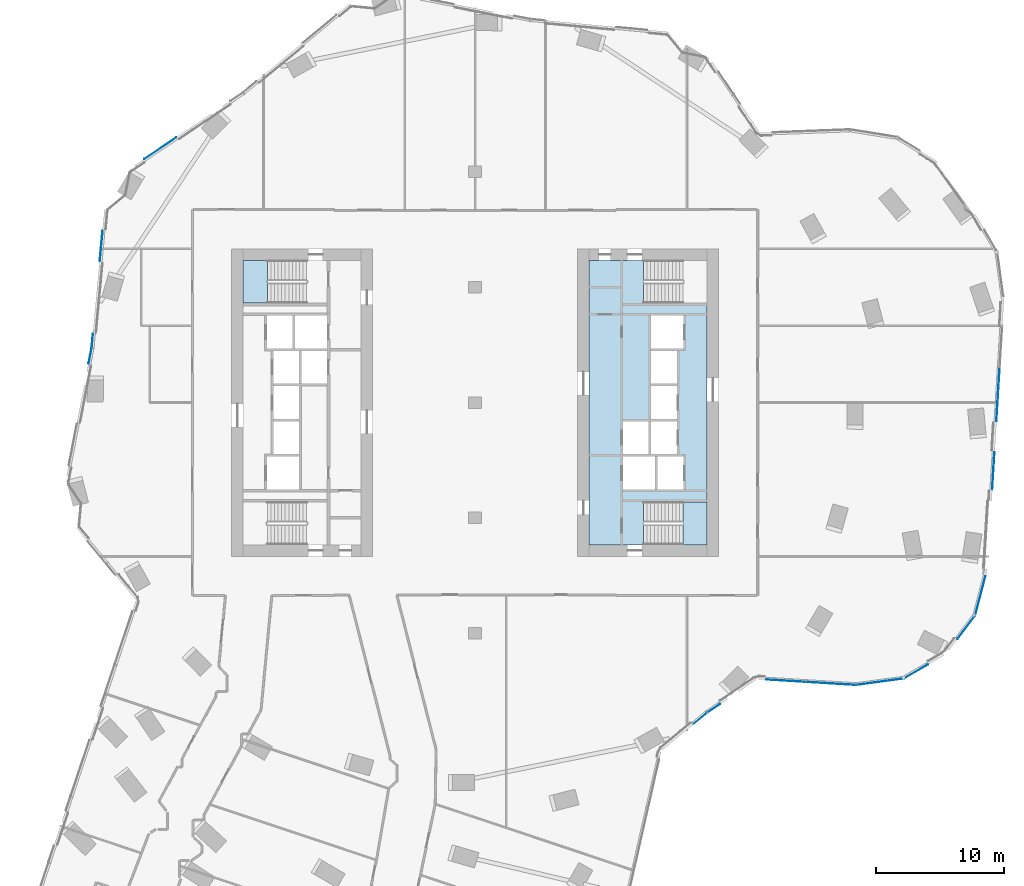
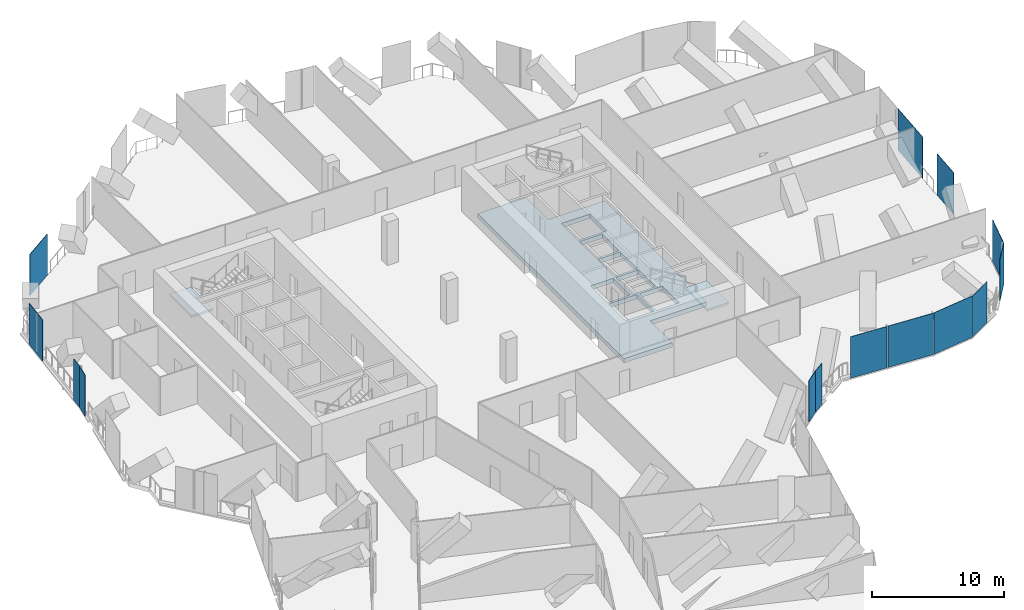
# One storey, part 16 of 28: 14 plates, 3 slabs, 13 elements without a shape of their own.
"""IFC4 building model written with IfcOpenShell, lengths in metres."""

import ifcopenshell
import ifcopenshell.guid

model = None  # the IFC model being written
_history = None  # IfcOwnerHistory: only IFC2X3 demands one
_inside = {}  # id of a spatial element -> (the spatial element, [elements in it])
_under = {}  # id of a project, library or spatial element -> (it, [spatial elements below it])
_declared = {}  # id of a project -> (the project, [libraries it declares])
_typed = {}  # id of a type object -> (the type object, [elements of that type])
_made_of = {}  # id of a material, layer set ... -> (it, [elements and type objects made of it])


def new_model(schema):
    """Start an empty IFC model of exactly this schema.

    Asked for "IFC4X3", IfcOpenShell would pick the latest addendum, in which some entities
    have other attributes; the version numbers below select the first issue.
    IFC2X3 requires an IfcOwnerHistory on every rooted entity: one is made here for all.
    """
    global model, _history
    if schema == "IFC4X3":
        model = ifcopenshell.file(schema_version=(4, 3, 0, 0))
    else:
        model = ifcopenshell.file(schema=schema)
    _inside.clear()
    _under.clear()
    _declared.clear()
    _typed.clear()
    _made_of.clear()
    _history = None
    if model.schema == "IFC2X3":
        org = make("IfcOrganization", Name="unknown")
        user = make(
            "IfcPersonAndOrganization",
            ThePerson=make("IfcPerson", FamilyName="unknown"),
            TheOrganization=org,
        )
        app = make(
            "IfcApplication",
            ApplicationDeveloper=org,
            Version="unknown",
            ApplicationFullName="unknown",
            ApplicationIdentifier="unknown",
        )
        _history = make(
            "IfcOwnerHistory",
            OwningUser=user,
            OwningApplication=app,
            ChangeAction="ADDED",
            CreationDate=0,
        )
    return model


def make(cls, **values):
    """One entity of the class cls with the attributes given. An attribute that is None is left unset."""
    return model.create_entity(
        cls, **{name: value for name, value in values.items() if value is not None}
    )


def rooted(cls, **values):
    """An entity with a GlobalId (a new one), such as an element, a storey or a relation."""
    return make(cls, GlobalId=ifcopenshell.guid.new(), OwnerHistory=_history, **values)


def si_unit(unit_type, name, prefix=None):
    """IfcSIUnit, for example si_unit("LENGTHUNIT", "METRE", prefix="MILLI")."""
    return make("IfcSIUnit", UnitType=unit_type, Prefix=prefix, Name=name)


def assignment(units):
    """IfcUnitAssignment: the units of a project."""
    return None if units is None else make("IfcUnitAssignment", Units=units)


def point(xyz):
    """IfcCartesianPoint."""
    return None if xyz is None else make("IfcCartesianPoint", Coordinates=xyz)


def direction(xyz):
    """IfcDirection."""
    return None if xyz is None else make("IfcDirection", DirectionRatios=xyz)


def frame(location, z_axis=None, x_axis=None):
    """IfcAxis2Placement3D, a coordinate frame: its origin and axes. An axis left out is left unset."""
    return make(
        "IfcAxis2Placement3D",
        Location=point(location),
        Axis=direction(z_axis),
        RefDirection=direction(x_axis),
    )


def frame_2d(location, x_axis=None):
    """IfcAxis2Placement2D, a coordinate frame in the plane: its origin and x axis."""
    return make(
        "IfcAxis2Placement2D", Location=point(location), RefDirection=direction(x_axis)
    )


def origin():
    """The frame at (0, 0, 0) with its axes left unset."""
    return frame((0.0, 0.0, 0.0))


def origin_2d():
    """The frame at (0, 0) in the plane with its x axis left unset."""
    return frame_2d((0.0, 0.0))


def place(relative_to, where):
    """IfcLocalPlacement: puts the frame where relative to a parent placement (None: the world)."""
    return make(
        "IfcLocalPlacement", PlacementRelTo=relative_to, RelativePlacement=where
    )


def context(
    kind, dimensions, precision=None, world=None, true_north=None, identifier=None
):
    """IfcGeometricRepresentationContext, for example the 3D "Model" context."""
    return make(
        "IfcGeometricRepresentationContext",
        ContextIdentifier=identifier,
        ContextType=kind,
        CoordinateSpaceDimension=dimensions,
        Precision=precision,
        WorldCoordinateSystem=world,
        TrueNorth=true_north,
    )


def subcontext(parent, identifier, kind, view, scale=None):
    """IfcGeometricRepresentationSubContext, for example "Body" below "Model"."""
    return make(
        "IfcGeometricRepresentationSubContext",
        ContextIdentifier=identifier,
        ContextType=kind,
        ParentContext=parent,
        TargetScale=scale,
        TargetView=view,
    )


def project(units=None, contexts=None):
    """IfcProject with its units and contexts."""
    return rooted(
        "IfcProject",
        Name="project",
        RepresentationContexts=contexts,
        UnitsInContext=assignment(units),
    )


def spatial(cls, under=None, at=None, **own):
    """A site, building, storey or space (cls), placed at a placement, below another one or the project."""
    s = rooted(cls, ObjectPlacement=at, **own)
    if under is not None:
        _under.setdefault(under.id(), (under, []))[1].append(s)
    return s


def polyline(points):
    """IfcPolyline through the points."""
    return make("IfcPolyline", Points=[point(p) for p in points])


def profile(cls, at=None, kind="AREA", **sizes):
    """A parametric profile (cls). Its sizes go by their IFC names, for example OverallWidth=200.0."""
    return make(cls, ProfileType=kind, Position=at, **sizes)


def rectangle(**sizes):
    """IfcRectangleProfileDef."""
    return profile("IfcRectangleProfileDef", **sizes)


def outline(outer, holes=None, kind="AREA"):
    """IfcArbitraryClosedProfileDef: a profile drawn as a closed curve; with holes, ...WithVoids."""
    if holes is None:
        return make("IfcArbitraryClosedProfileDef", ProfileType=kind, OuterCurve=outer)
    return make(
        "IfcArbitraryProfileDefWithVoids",
        ProfileType=kind,
        OuterCurve=outer,
        InnerCurves=holes,
    )


def extrude(swept, where, along, depth):
    """IfcExtrudedAreaSolid: the profile swept, set in the frame where, extruded along a direction by depth."""
    return make(
        "IfcExtrudedAreaSolid",
        SweptArea=swept,
        Position=where,
        ExtrudedDirection=direction(along),
        Depth=depth,
    )


def shape(context_of_items, identifier, shape_type, items):
    """IfcShapeRepresentation: the items that make up one representation, for example the "Body"."""
    return make(
        "IfcShapeRepresentation",
        ContextOfItems=context_of_items,
        RepresentationIdentifier=identifier,
        RepresentationType=shape_type,
        Items=items,
    )


def material(Name=None, Category=None):
    """IfcMaterial."""
    return make("IfcMaterial", Name=Name, Category=Category)


def layer(
    of_material, thickness, ventilated=None, Name=None, Category=None, Priority=None
):
    """IfcMaterialLayer: one layer of a wall or slab, of a material (None: an air gap)."""
    return make(
        "IfcMaterialLayer",
        Material=of_material,
        LayerThickness=thickness,
        IsVentilated=ventilated,
        Name=Name,
        Category=Category,
        Priority=Priority,
    )


def layer_set(layers, Name=None):
    """IfcMaterialLayerSet."""
    return make("IfcMaterialLayerSet", MaterialLayers=layers, LayerSetName=Name)


def made_of(thing, what):
    """Note that an element or type object is made of a material, layer set ...; save() writes the relation."""
    if what is not None:
        _made_of.setdefault(what.id(), (what, []))[1].append(thing)
    return thing


def type_object(cls, material=None, **own):
    """A type object (cls), such as IfcWallType, which elements share."""
    return made_of(rooted(cls, **own), material)


def element(
    cls,
    number,
    at=None,
    inside=None,
    cuts=None,
    type_object=None,
    material=None,
    context=None,
    identifier="Body",
    shape_type=None,
    held_by="IfcProductDefinitionShape",
    body=None,
    shapes=None,
    **own,
):
    """One element of the class cls, such as IfcWall. Its Tag is "e" and its number.

    at: its placement. inside: the storey or other place that contains it. cuts: it is an
    opening in that element (IfcRelVoidsElement). A single representation is given by context,
    identifier, shape_type and body (its items); several are given by shapes. held_by: the class
    of the entity that holds the representations. save() writes the other relations.
    """
    e = rooted(cls, Tag="e%d" % number, ObjectPlacement=at, **own)
    if body is not None:
        shapes = [shape(context, identifier, shape_type, body)]
    if shapes is not None:
        e.Representation = make(held_by, Representations=shapes)
    if inside is not None:
        _inside.setdefault(inside.id(), (inside, []))[1].append(e)
    if cuts is not None:
        rooted(
            "IfcRelVoidsElement", RelatingBuildingElement=cuts, RelatedOpeningElement=e
        )
    if type_object is not None:
        _typed.setdefault(type_object.id(), (type_object, []))[1].append(e)
    return made_of(e, material)


def aggregate(whole, parts):
    """IfcRelAggregates: a whole, such as a stair, and the parts it consists of."""
    return rooted("IfcRelAggregates", RelatingObject=whole, RelatedObjects=parts)


def save(model, path):
    """Write the relations noted so far, then the file.

    IfcRelAggregates (storeys below a building ...), IfcRelContainedInSpatialStructure (elements
    in a storey), IfcRelDefinesByType, IfcRelAssociatesMaterial and IfcRelDeclares: one each for
    every whole, place, type object, material and project.
    """
    for whole, parts in _under.values():
        aggregate(whole, parts)
    for where, things in _inside.values():
        rooted(
            "IfcRelContainedInSpatialStructure",
            RelatedElements=things,
            RelatingStructure=where,
        )
    for kind, things in _typed.values():
        rooted("IfcRelDefinesByType", RelatedObjects=things, RelatingType=kind)
    for what, things in _made_of.values():
        rooted("IfcRelAssociatesMaterial", RelatedObjects=things, RelatingMaterial=what)
    for by, libraries in _declared.values():
        rooted("IfcRelDeclares", RelatingContext=by, RelatedDefinitions=libraries)
    model.write(path)


model = new_model("IFC4")

# Units and contexts
model_context = context("Model", 3, precision=1e-05, world=origin(), true_north=direction((0.0, 1.0)))
body_context = subcontext(model_context, "Body", "Model", "MODEL_VIEW")
ifc_project = project(units=[si_unit("LENGTHUNIT", "METRE"), si_unit("AREAUNIT", "SQUARE_METRE"), si_unit("VOLUMEUNIT", "CUBIC_METRE"), si_unit("PLANEANGLEUNIT", "RADIAN"), si_unit("MASSUNIT", "GRAM", prefix="KILO")], contexts=[model_context])

# Site, building, storey
site_placement = place(None, origin())
site = spatial("IfcSite", under=ifc_project, at=site_placement, CompositionType="ELEMENT")
building_placement = place(site_placement, origin())
building = spatial("IfcBuilding", under=site, at=building_placement, Name="Orlundy Tower", CompositionType="ELEMENT")
storey_placement = place(building_placement, frame((0.0, 0.0, 163.10009765625)))
storey = spatial("IfcBuildingStorey", under=building, at=storey_placement, Name="L42", CompositionType="ELEMENT", Elevation=163.10009765625)

# Curtain wall, plates
ifc_material_1 = material(Name="Aluminium bronze anodised", Category="aluminium")
curtain_wall_type = type_object("IfcCurtainWallType", Name="CW5 wall", PredefinedType="NOTDEFINED", material=ifc_material_1)
curtain_wall_1_placement = place(storey_placement, origin())
curtain_wall_1 = element("IfcCurtainWall", 1, at=curtain_wall_1_placement, inside=storey, type_object=curtain_wall_type, Name="CW5 run 03", PredefinedType="NOTDEFINED")
ifc_material_2 = material(Name="Tinted glass", Category="glass")
ifc_layer_1 = layer(ifc_material_2, 0.031982421875)
ifc_layer_set_1 = layer_set([ifc_layer_1], Name="CW5 glass panel 32")
plate_type_1 = type_object("IfcPlateType", Name="CW5 glass panel 32", PredefinedType="CURTAIN_PANEL", material=ifc_layer_set_1)
plate_1_placement = place(storey_placement, frame((-29.864013671875, 4.83544921875, -0.26025390625), z_axis=(0.0, 0.0, 1.0), x_axis=(0.092966909231, 0.995669198975, 0.0)))
plate_1 = element("IfcPlate", 2, at=plate_1_placement, type_object=plate_type_1, Name="CW5 panel", PredefinedType="CURTAIN_PANEL", context=body_context, shape_type="SweptSolid", body=[
    extrude(rectangle(XDim=1.03515625, YDim=0.031982421875, at=origin_2d()), origin(), (0.0, 0.0, 1.0), 3.840087890625),
])
plate_2_placement = place(storey_placement, frame((-29.174560546875, 12.2197265625, -0.26025390625), z_axis=(0.0, 0.0, 1.0), x_axis=(0.092966909231, 0.995669198975, 0.0)))
plate_2 = element("IfcPlate", 3, at=plate_2_placement, type_object=plate_type_1, Name="CW5 panel", PredefinedType="CURTAIN_PANEL", context=body_context, shape_type="SweptSolid", body=[
    extrude(rectangle(XDim=2.4150390625, YDim=0.031982421875, at=origin_2d()), origin(), (0.0, 0.0, 1.0), 3.840087890625),
])
aggregate(curtain_wall_1, [plate_1, plate_2])

# Curtain wall, plate
curtain_wall_2_placement = place(storey_placement, origin())
curtain_wall_2 = element("IfcCurtainWall", 4, at=curtain_wall_2_placement, inside=storey, type_object=curtain_wall_type, Name="CW5 run 06", PredefinedType="NOTDEFINED")
plate_3_placement = place(storey_placement, frame((-24.5615234375, 19.84130859375, -0.26025390625), z_axis=(0.0, 0.0, 1.0), x_axis=(0.82902976865, 0.559204473061, 0.0)))
plate_3 = element("IfcPlate", 5, at=plate_3_placement, type_object=plate_type_1, Name="CW5 panel", PredefinedType="CURTAIN_PANEL", context=body_context, shape_type="SweptSolid", body=[
    extrude(rectangle(XDim=3.0087890625, YDim=0.031982421875, at=origin_2d()), origin(), (0.0, 0.0, 1.0), 3.840087890625),
])
aggregate(curtain_wall_2, [plate_3])

# Curtain wall, plates
curtain_wall_3_placement = place(storey_placement, origin())
curtain_wall_3 = element("IfcCurtainWall", 6, at=curtain_wall_3_placement, inside=storey, type_object=curtain_wall_type, Name="CW5 run 023", PredefinedType="NOTDEFINED")
plate_4_placement = place(storey_placement, frame((40.798828125, 0.643310546875, -0.26025390625), z_axis=(0.0, 0.0, 1.0), x_axis=(-0.061047131434, -0.998134884544, 0.0)))
plate_4 = element("IfcPlate", 7, at=plate_4_placement, type_object=plate_type_1, Name="CW5 panel", PredefinedType="CURTAIN_PANEL", context=body_context, shape_type="SweptSolid", body=[
    extrude(rectangle(XDim=4.1845703125, YDim=0.031982421875, at=origin_2d()), origin(), (0.0, 0.0, 1.0), 3.840087890625),
])
plate_5_placement = place(storey_placement, frame((40.434814453125, -5.31005859375, -0.26025390625), z_axis=(0.0, 0.0, 1.0), x_axis=(-0.061047131434, -0.998134884544, 0.0)))
plate_5 = element("IfcPlate", 8, at=plate_5_placement, type_object=plate_type_1, Name="CW5 panel", PredefinedType="CURTAIN_PANEL", context=body_context, shape_type="SweptSolid", body=[
    extrude(rectangle(XDim=2.885986328125, YDim=0.031982421875, at=origin_2d()), origin(), (0.0, 0.0, 1.0), 3.840087890625),
])
aggregate(curtain_wall_3, [plate_4, plate_5])

# Curtain wall, plate
curtain_wall_4_placement = place(storey_placement, origin())
curtain_wall_4 = element("IfcCurtainWall", 9, at=curtain_wall_4_placement, inside=storey, type_object=curtain_wall_type, Name="CW5 run 024", PredefinedType="NOTDEFINED")
plate_6_placement = place(storey_placement, frame((39.412109375, -15.0859375, -0.26025390625), z_axis=(0.0, 0.0, 1.0), x_axis=(-0.254453453106, -0.96708502222, 0.0)))
plate_6 = element("IfcPlate", 10, at=plate_6_placement, type_object=plate_type_1, Name="CW5 panel", PredefinedType="CURTAIN_PANEL", context=body_context, shape_type="SweptSolid", body=[
    extrude(rectangle(XDim=3.171142578125, YDim=0.031982421875, at=origin_2d()), origin(), (0.0, 0.0, 1.0), 3.840087890625),
])
aggregate(curtain_wall_4, [plate_6])

curtain_wall_5_placement = place(storey_placement, origin())
curtain_wall_5 = element("IfcCurtainWall", 11, at=curtain_wall_5_placement, inside=storey, type_object=curtain_wall_type, Name="CW5 run 025", PredefinedType="NOTDEFINED")
plate_7_placement = place(storey_placement, frame((38.316650390625, -17.529052734375, -0.26025390625), z_axis=(0.0, 0.0, 1.0), x_axis=(-0.605295262364, -0.796001033516, 0.0)))
plate_7 = element("IfcPlate", 12, at=plate_7_placement, type_object=plate_type_1, Name="CW5 panel", PredefinedType="CURTAIN_PANEL", context=body_context, shape_type="SweptSolid", body=[
    extrude(rectangle(XDim=2.2861328125, YDim=0.031982421875, at=origin_2d()), origin(), (0.0, 0.0, 1.0), 3.840087890625),
])
aggregate(curtain_wall_5, [plate_7])

curtain_wall_6_placement = place(storey_placement, origin())
curtain_wall_6 = element("IfcCurtainWall", 13, at=curtain_wall_6_placement, inside=storey, type_object=curtain_wall_type, Name="CW5 run 027", PredefinedType="NOTDEFINED")
plate_8_placement = place(storey_placement, frame((31.60400390625, -21.784423828125, -0.26025390625), z_axis=(0.0, 0.0, 1.0), x_axis=(-0.990861331967, -0.134884472094, 0.0)))
plate_8 = element("IfcPlate", 14, at=plate_8_placement, type_object=plate_type_1, Name="CW5 panel", PredefinedType="CURTAIN_PANEL", context=body_context, shape_type="SweptSolid", body=[
    extrude(rectangle(XDim=3.736572265625, YDim=0.031982421875, at=origin_2d()), origin(), (0.0, 0.0, 1.0), 3.840087890625),
])
aggregate(curtain_wall_6, [plate_8])

curtain_wall_7_placement = place(storey_placement, origin())
curtain_wall_7 = element("IfcCurtainWall", 15, at=curtain_wall_7_placement, inside=storey, type_object=curtain_wall_type, Name="CW5 run 028", PredefinedType="NOTDEFINED")
plate_9_placement = place(storey_placement, frame((27.776611328125, -21.92041015625, -0.26025390625), z_axis=(0.0, 0.0, 1.0), x_axis=(-0.998136147812, 0.061026473193, 0.0)))
plate_9 = element("IfcPlate", 16, at=plate_9_placement, type_object=plate_type_1, Name="CW5 panel", PredefinedType="CURTAIN_PANEL", context=body_context, shape_type="SweptSolid", body=[
    extrude(rectangle(XDim=3.85986328125, YDim=0.031982421875, at=origin_2d()), origin(), (0.0, 0.0, 1.0), 3.840087890625),
])

curtain_wall_8_placement = place(storey_placement, origin())
curtain_wall_8 = element("IfcCurtainWall", 17, at=curtain_wall_8_placement, inside=storey, type_object=curtain_wall_type, Name="CW5 run 029", PredefinedType="NOTDEFINED")
plate_10_placement = place(storey_placement, frame((18.61669921875, -23.851318359375, -0.26025390625), z_axis=(0.0, 0.0, 1.0), x_axis=(-0.829065335339, -0.559151741246, 0.0)))
plate_10 = element("IfcPlate", 18, at=plate_10_placement, type_object=plate_type_1, Name="CW5 panel", PredefinedType="CURTAIN_PANEL", context=body_context, shape_type="SweptSolid", body=[
    extrude(rectangle(XDim=1.1591796875, YDim=0.031982421875, at=origin_2d()), origin(), (0.0, 0.0, 1.0), 3.840087890625),
])
aggregate(curtain_wall_8, [plate_10])

curtain_wall_9_placement = place(storey_placement, origin())
curtain_wall_9 = element("IfcCurtainWall", 19, at=curtain_wall_9_placement, inside=storey, type_object=curtain_wall_type, Name="CW5 run 030", PredefinedType="NOTDEFINED")
plate_11_placement = place(storey_placement, frame((17.580810546875, -24.6328125, -0.26025390625), z_axis=(0.0, 0.0, 1.0), x_axis=(-0.769752920714, -0.638341946807, 0.0)))
plate_11 = element("IfcPlate", 20, at=plate_11_placement, type_object=plate_type_1, Name="CW5 panel", PredefinedType="CURTAIN_PANEL", context=body_context, shape_type="SweptSolid", body=[
    extrude(rectangle(XDim=1.339111328125, YDim=0.031982421875, at=origin_2d()), origin(), (0.0, 0.0, 1.0), 3.840087890625),
])
aggregate(curtain_wall_9, [plate_11])

curtain_wall_10_placement = place(storey_placement, origin())
curtain_wall_10 = element("IfcCurtainWall", 21, at=curtain_wall_10_placement, inside=storey, type_object=curtain_wall_type, Name="CW5 run 02", PredefinedType="NOTDEFINED")
ifc_material_3 = material(Name="Tinted glass", Category="glass")
ifc_layer_2 = layer(ifc_material_3, 0.031982421875)
ifc_layer_set_2 = layer_set([ifc_layer_2], Name="CW5 vent panel 32")
plate_type_2 = type_object("IfcPlateType", Name="CW5 vent panel 32", PredefinedType="CURTAIN_PANEL", material=ifc_layer_set_2)
plate_12_placement = place(storey_placement, frame((-30.037841796875, 3.659423828125, -0.26025390625), z_axis=(0.0, 0.0, 1.0), x_axis=(0.190788950404, 0.981631079583, 0.0)))
plate_12 = element("IfcPlate", 22, at=plate_12_placement, type_object=plate_type_2, Name="CW5 panel", PredefinedType="CURTAIN_PANEL", context=body_context, shape_type="SweptSolid", body=[
    extrude(rectangle(XDim=1.2451171875, YDim=0.031982421875, at=origin_2d()), origin(), (0.0, 0.0, 1.0), 3.840087890625),
])
aggregate(curtain_wall_10, [plate_12])

curtain_wall_11_placement = place(storey_placement, origin())
curtain_wall_11 = element("IfcCurtainWall", 23, at=curtain_wall_11_placement, inside=storey, type_object=curtain_wall_type, Name="CW5 run 026", PredefinedType="NOTDEFINED")
plate_13_placement = place(storey_placement, frame((34.39208984375, -20.986083984375, -0.26025390625), z_axis=(0.0, 0.0, 1.0), x_axis=(-0.863876736944, -0.503703269164, 0.0)))
plate_13 = element("IfcPlate", 24, at=plate_13_placement, type_object=plate_type_2, Name="CW5 panel", PredefinedType="CURTAIN_PANEL", context=body_context, shape_type="SweptSolid", body=[
    extrude(rectangle(XDim=2.169189453125, YDim=0.031982421875, at=origin_2d()), origin(), (0.0, 0.0, 1.0), 3.840087890625),
])
aggregate(curtain_wall_11, [plate_13])

# Plate
plate_14_placement = place(storey_placement, frame((24.248291015625, -21.704833984375, -0.26025390625), z_axis=(0.0, 0.0, 1.0), x_axis=(-0.998136147812, 0.061026473193, 0.0)))
plate_14 = element("IfcPlate", 25, at=plate_14_placement, type_object=plate_type_2, Name="CW5 panel", PredefinedType="CURTAIN_PANEL", context=body_context, shape_type="SweptSolid", body=[
    extrude(rectangle(XDim=3.10986328125, YDim=0.031982421875, at=origin_2d()), origin(), (0.0, 0.0, 1.0), 3.840087890625),
])

aggregate(curtain_wall_7, [plate_9, plate_14])

# Slab
ifc_material_4 = material(Name="Concrete C50/60", Category="concrete")
ifc_layer_3 = layer(ifc_material_4, 0.409912109375)
ifc_layer_set_3 = layer_set([ifc_layer_3], Name="Core Floor Slab 410")
slab_type_1 = type_object("IfcSlabType", Name="Core Floor Slab 410", PredefinedType="FLOOR", material=ifc_layer_set_3)
slab_1_placement = place(storey_placement, frame((0.0, 0.0, -0.41015625)))
element("IfcSlab", 26, at=slab_1_placement, inside=storey, type_object=slab_type_1, Name="Core floor E33", PredefinedType="FLOOR", context=body_context, shape_type="SweptSolid", body=[
    extrude(outline(polyline([(13.14501953125, 11.10009765625), (13.14501953125, 7.75), (18.10009765625, 7.75), (18.10009765625, -7.75), (13.14501953125, -7.75), (13.14501953125, -11.10009765625), (8.89990234375, -11.10009765625), (8.89990234375, 11.10009765625), (13.14501953125, 11.10009765625)]), holes=[polyline([(13.739990234375, 4.22509765625), (16.239990234375, 4.22509765625), (16.239990234375, 6.77490234375), (13.739990234375, 6.77490234375), (13.739990234375, 4.22509765625)]), polyline([(13.739990234375, 4.02490234375), (13.739990234375, 1.47509765625), (15.739990234375, 1.47509765625), (15.739990234375, 4.02490234375), (13.739990234375, 4.02490234375)]), polyline([(15.739990234375, 1.27490234375), (13.739990234375, 1.27490234375), (13.739990234375, -1.27490234375), (15.739990234375, -1.27490234375), (15.739990234375, 1.27490234375)]), polyline([(13.5400390625, -4.02490234375), (13.5400390625, -1.47509765625), (11.5400390625, -1.47509765625), (11.5400390625, -4.02490234375), (13.5400390625, -4.02490234375)]), polyline([(13.739990234375, -4.02490234375), (15.739990234375, -4.02490234375), (15.739990234375, -1.47509765625), (13.739990234375, -1.47509765625), (13.739990234375, -4.02490234375)]), polyline([(11.5400390625, -4.22509765625), (11.5400390625, -6.77490234375), (14.0400390625, -6.77490234375), (14.0400390625, -4.22509765625), (11.5400390625, -4.22509765625)]), polyline([(16.239990234375, -4.22509765625), (14.239990234375, -4.22509765625), (14.239990234375, -6.77490234375), (16.239990234375, -6.77490234375), (16.239990234375, -4.22509765625)])]), origin(), (0.0, 0.0, 1.0), 0.41015625),
])

# Stair, slab
ifc_material_5 = material(Name="Concrete C50/60", Category="concrete")
stair_type = type_object("IfcStairType", Name="Exit Stair 24 risers", PredefinedType="HALF_TURN_STAIR", material=ifc_material_5)
stair_1_placement = place(storey_placement, origin())
stair_1 = element("IfcStair", 27, at=stair_1_placement, inside=storey, type_object=stair_type, Name="L42 Exit Stair ST-W1", PredefinedType="HALF_TURN_STAIR")
ifc_material_6 = material(Name="Concrete C50/60", Category="concrete")
ifc_layer_4 = layer(ifc_material_6, 0.199951171875)
ifc_layer_set_4 = layer_set([ifc_layer_4], Name="Exit Stair Landing")
slab_type_2 = type_object("IfcSlabType", Name="Exit Stair Landing", PredefinedType="LANDING", material=ifc_layer_set_4)
slab_2_placement = place(storey_placement, frame((0.0, 0.0, 1.7998046875)))
slab_2 = element("IfcSlab", 28, at=slab_2_placement, type_object=slab_type_2, Name="ST-W1 landing 1", PredefinedType="LANDING", context=body_context, shape_type="SweptSolid", body=[
    extrude(outline(polyline([(-16.219970703125, 11.10009765625), (-18.10009765625, 11.10009765625), (-18.10009765625, 7.75), (-16.219970703125, 7.75), (-16.219970703125, 11.10009765625)])), origin(), (0.0, 0.0, 1.0), 0.2001953125),
])
aggregate(stair_1, [slab_2])

stair_2_placement = place(storey_placement, origin())
stair_2 = element("IfcStair", 29, at=stair_2_placement, inside=storey, type_object=stair_type, Name="L42 Exit Stair ST-E1", PredefinedType="HALF_TURN_STAIR")
slab_3_placement = place(storey_placement, frame((0.0, 0.0, 1.7998046875)))
slab_3 = element("IfcSlab", 30, at=slab_3_placement, type_object=slab_type_2, Name="ST-E1 landing 1", PredefinedType="LANDING", context=body_context, shape_type="SweptSolid", body=[
    extrude(outline(polyline([(16.219970703125, -11.10009765625), (18.10009765625, -11.10009765625), (18.10009765625, -7.75), (16.219970703125, -7.75), (16.219970703125, -11.10009765625)])), origin(), (0.0, 0.0, 1.0), 0.2001953125),
])
aggregate(stair_2, [slab_3])

save(model, "model.ifc")
